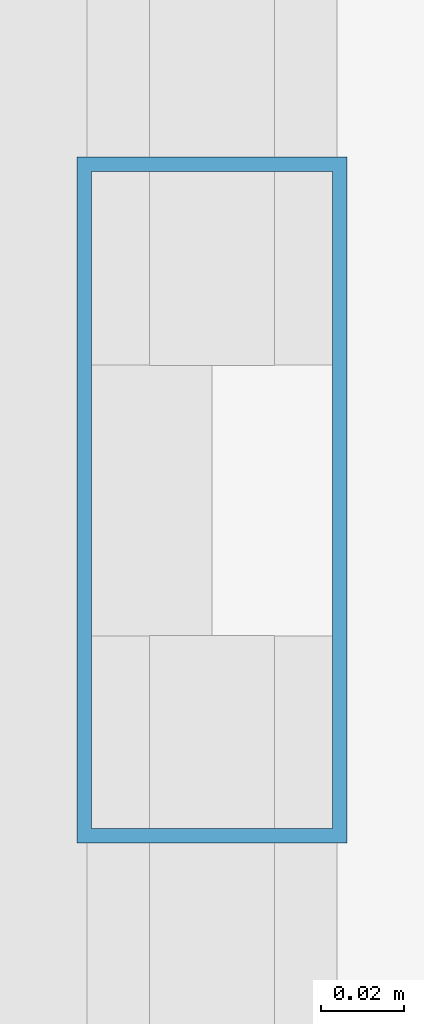
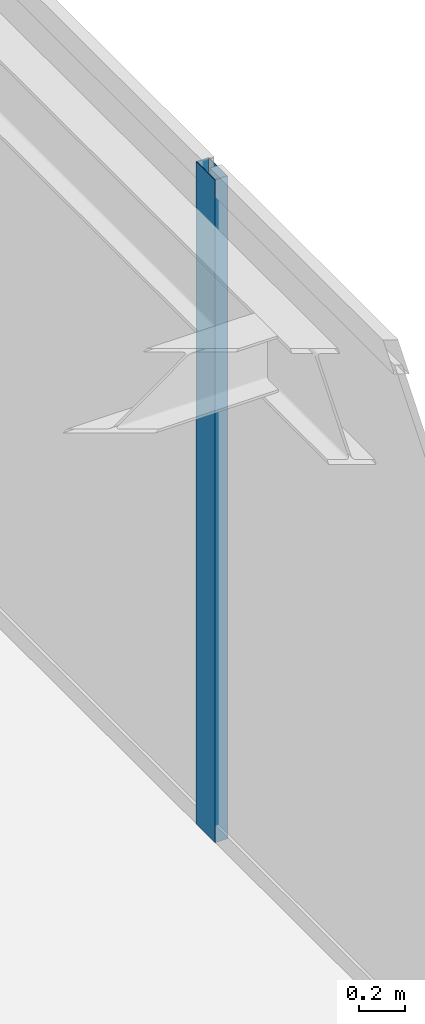
# One storey, part 17 of 30: 1 member, 1 element without a shape of its own.
"""IFC4 building model written with IfcOpenShell, lengths in metres."""

from ifc_helpers import new_model, si_unit, direction, frame, origin, origin_2d, place, context, subcontext, project, spatial, hollow_rectangle, extrude, source, transform, mapped, material, layer, layer_set, material_profile, profile_set, type_object, type_shapes, element, aggregate, save


model = new_model("IFC4")

# Units and contexts
model_context = context("Model", 3, precision=1e-05, world=origin(), true_north=direction((0.0, 1.0)))
body_context = subcontext(model_context, "Body", "Model", "MODEL_VIEW")
ifc_project = project(units=[si_unit("LENGTHUNIT", "METRE"), si_unit("AREAUNIT", "SQUARE_METRE"), si_unit("VOLUMEUNIT", "CUBIC_METRE"), si_unit("PLANEANGLEUNIT", "RADIAN"), si_unit("MASSUNIT", "GRAM", prefix="KILO")], contexts=[model_context])

# Site, building, storey
site_placement = place(None, origin())
site = spatial("IfcSite", under=ifc_project, at=site_placement, CompositionType="ELEMENT")
building_placement = place(site_placement, origin())
building = spatial("IfcBuilding", under=site, at=building_placement, Name="Varnel Quay Broadcast Tower", CompositionType="ELEMENT")
storey_placement = place(building_placement, frame((0.0, 0.0, 180.0)))
storey = spatial("IfcBuildingStorey", under=building, at=storey_placement, Name="L44", CompositionType="ELEMENT", Elevation=180.0)

# Curtain wall, member
ifc_material = material(Name="Anodised Bronze Aluminium 6063-T6", Category="aluminium")
ifc_layer = layer(ifc_material, 0.18994140625, Name="Anodised Bronze Aluminium 6063-T6")
ifc_layer_set = layer_set([ifc_layer], Name="Anodised Bronze Aluminium 6063-T6")
curtain_wall_type = type_object("IfcCurtainWallType", Name="CW_UpperTower", PredefinedType="NOTDEFINED", material=ifc_layer_set)
curtain_wall_placement = place(storey_placement, origin())
curtain_wall = element("IfcCurtainWall", 1, at=curtain_wall_placement, inside=storey, type_object=curtain_wall_type, Name="L44 East Unitised Curtain Wall", PredefinedType="NOTDEFINED")
ifc_material_profile = material_profile(ifc_material, hollow_rectangle(XDim=0.06494140625, YDim=0.1650390625, WallThickness=0.00341796875, at=origin_2d()), Name="ALU65X165X3.5")
ifc_profile_set = profile_set([ifc_material_profile], Name="Anodised Bronze Aluminium 6063-T6")
member_type = type_object("IfcMemberType", Name="Mull_CWS-03", PredefinedType="MULLION", material=ifc_profile_set)
shared_shape = source(origin(), body_context, "Body", "SweptSolid", [
    extrude(hollow_rectangle(XDim=0.06494140625, YDim=0.1650390625, WallThickness=0.00341796875, at=origin_2d()), origin(), (0.0, 0.0, 1.0), 3.550048828125),
])
type_shapes(member_type, [shared_shape])
member_placement = place(storey_placement, frame((60.85009765625, 21.60009765625, 0.0), z_axis=(0.0, 0.0, 1.0), x_axis=(-1.0, 0.0, 0.0)))
member = element("IfcMember", 2, at=member_placement, type_object=member_type, Name="CWS-03 mullion 2", PredefinedType="MULLION", context=body_context, shape_type="MappedRepresentation", body=[
    mapped(shared_shape, transform((0.0, 0.0, 0.0), x_axis=(1.0, 0.0, 0.0), y_axis=(0.0, 1.0, 0.0), z_axis=(0.0, 0.0, 1.0), scale=1.0)),
])
aggregate(curtain_wall, [member])

save(model, "model.ifc")
